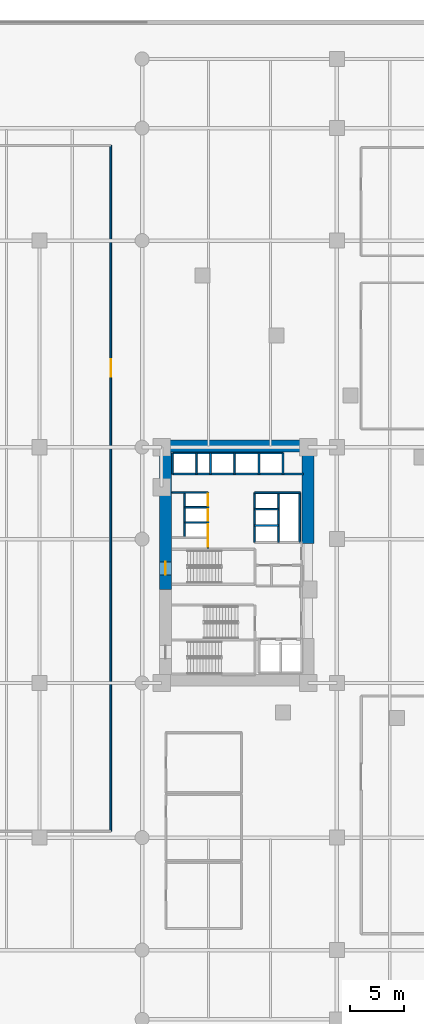
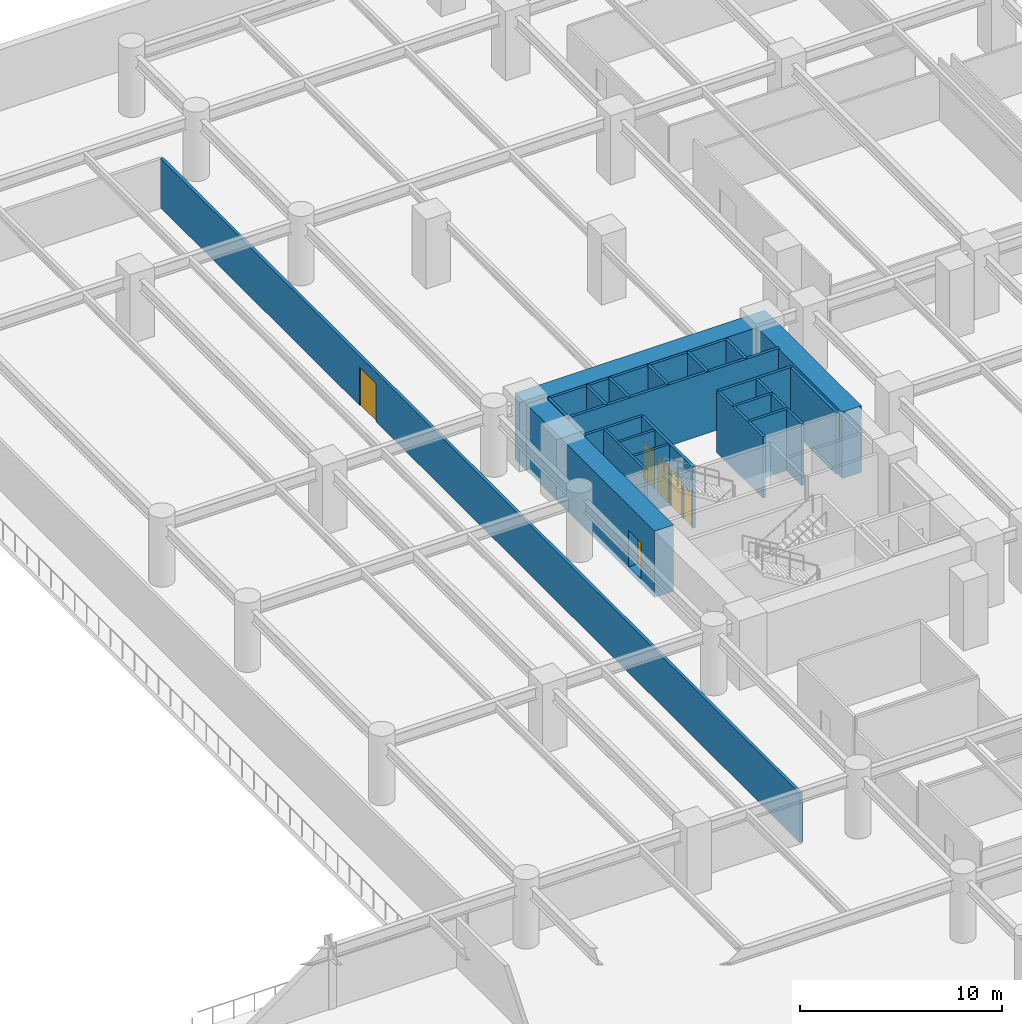
# One storey, part 11 of 20: 24 walls, 6 doors, 6 openings.
"""IFC4 building model written with IfcOpenShell, lengths in metres."""

from ifc_helpers import new_model, si_unit, direction, frame, frame_2d, origin, place, context, subcontext, project, spatial, rectangle, extrude, material, layer, layer_set, type_object, element, fill, save


model = new_model("IFC4")

# Units and contexts
model_context = context("Model", 3, precision=1e-05, world=origin(), true_north=direction((0.0, 1.0)))
body_context = subcontext(model_context, "Body", "Model", "MODEL_VIEW")
ifc_project = project(units=[si_unit("LENGTHUNIT", "METRE"), si_unit("AREAUNIT", "SQUARE_METRE"), si_unit("VOLUMEUNIT", "CUBIC_METRE"), si_unit("PLANEANGLEUNIT", "RADIAN"), si_unit("MASSUNIT", "GRAM", prefix="KILO")], contexts=[model_context])

# Site, building, storey
site_placement = place(None, origin())
site = spatial("IfcSite", under=ifc_project, at=site_placement, CompositionType="ELEMENT")
building_placement = place(site_placement, origin())
building = spatial("IfcBuilding", under=site, at=building_placement, Name="Narakoshi Arena Tower", CompositionType="ELEMENT")
storey_placement = place(building_placement, frame((0.0, 0.0, 17.39990234375)))
storey = spatial("IfcBuildingStorey", under=building, at=storey_placement, Name="L04", CompositionType="ELEMENT", Elevation=17.39990234375)

# Wall, opening, door
ifc_material_1 = material(Name="Concrete C60/75", Category="concrete")
ifc_layer_1 = layer(ifc_material_1, 1.10009765625)
ifc_layer_set_1 = layer_set([ifc_layer_1], Name="Concrete C60/75")
wall_type_1 = type_object("IfcWallType", Name="WL-CORE-1100", PredefinedType="SHEAR", material=ifc_layer_set_1)
wall_1_placement = place(storey_placement, frame((72.35009765625, 43.35009765625, -0.31982421875), z_axis=(0.0, 0.0, 1.0), x_axis=(0.0, 1.0, 0.0)))
wall_1 = element("IfcWall", 1, at=wall_1_placement, inside=storey, type_object=wall_type_1, Name="L04 Main Core Shear Wall CW-MN-W", PredefinedType="SHEAR", context=body_context, shape_type="SweptSolid", body=[
    extrude(rectangle(XDim=12.699951171875, YDim=1.10009765625, at=frame_2d((6.35009765625, 0.0))), origin(), (0.0, 0.0, 1.0), 4.02001953125),
])
opening_1_placement = place(wall_1_placement, frame((1.35009765625, 0.0, 0.320068359375)))
opening_1 = element("IfcOpeningElement", 2, at=opening_1_placement, cuts=wall_1, Name="Opening D-03", PredefinedType="OPENING", context=body_context, shape_type="SweptSolid", body=[
    extrude(rectangle(XDim=1.199951171875, YDim=2.199951171875, at=frame_2d((0.60009765625, 1.10009765625))), frame((0.0, 0.56005859375, 0.0), z_axis=(0.0, -1.0, 0.0), x_axis=(1.0, 0.0, 0.0)), (0.0, 0.0, 1.0), 1.1201171875),
])
ifc_material_2 = material(Name="Painted galvanized steel", Category="steel")
door_type_1 = type_object("IfcDoorType", Name="DR-STR-1200", OperationType="NOTDEFINED", PredefinedType="USERDEFINED", material=ifc_material_2)
door_1_placement = place(opening_1_placement, frame((1.199951171875, 0.0, 0.0), z_axis=(0.0, 0.0, 1.0), x_axis=(-1.0, 0.0, 0.0)))
door_1 = element("IfcDoor", 3, at=door_1_placement, inside=storey, type_object=door_type_1, Name="DR-L04-006", ObjectType="EXITDOOR", OperationType="SINGLE_SWING_LEFT", OverallHeight=2.199951171875, OverallWidth=1.199951171875, PredefinedType="USERDEFINED", context=body_context, shape_type="SweptSolid", body=[
    extrude(rectangle(XDim=1.199951171875, YDim=2.199951171875, at=frame_2d((0.60009765625, 1.10009765625))), frame((0.0, 0.02490234375, 0.0), z_axis=(0.0, -1.0, 0.0), x_axis=(1.0, 0.0, 0.0)), (0.0, 0.0, 1.0), 0.050048828125),
])
fill(opening_1, door_1)

# Walls
wall_2_placement = place(storey_placement, frame((71.800048828125, 56.60009765625, -0.31982421875), z_axis=(0.0, 0.0, 1.0), x_axis=(1.0, 0.0, 0.0)))
element("IfcWall", 4, at=wall_2_placement, inside=storey, type_object=wall_type_1, Name="L04 Main Core Shear Wall CW-MN-N", PredefinedType="SHEAR", context=body_context, shape_type="SweptSolid", body=[
    extrude(rectangle(XDim=14.300048828125, YDim=1.10009765625, at=frame_2d((7.14990234375, 0.0))), origin(), (0.0, 0.0, 1.0), 4.02001953125),
])
wall_3_placement = place(storey_placement, frame((85.550048828125, 47.60009765625, -0.31982421875), z_axis=(0.0, 0.0, 1.0), x_axis=(0.0, 1.0, 0.0)))
element("IfcWall", 5, at=wall_3_placement, inside=storey, type_object=wall_type_1, Name="L04 Main Core Shear Wall CW-MN-E", PredefinedType="SHEAR", context=body_context, shape_type="SweptSolid", body=[
    extrude(rectangle(XDim=8.449951171875, YDim=1.10009765625, at=frame_2d((4.22509765625, 0.0))), origin(), (0.0, 0.0, 1.0), 4.02001953125),
])

# Wall, opening, door
ifc_material_3 = material(Name="Gypsum plasterboard fire-rated partition")
ifc_layer_2 = layer(ifc_material_3, 0.1650390625)
ifc_layer_set_2 = layer_set([ifc_layer_2], Name="Gypsum plasterboard fire-rated partition")
wall_type_2 = type_object("IfcWallType", Name="WL-CORR-165", PredefinedType="PARTITIONING", material=ifc_layer_set_2)
wall_4_placement = place(storey_placement, frame((67.300048828125, 21.0, 0.0), z_axis=(0.0, 0.0, 1.0), x_axis=(0.0, 1.0, 0.0)))
wall_4 = element("IfcWall", 6, at=wall_4_placement, inside=storey, type_object=wall_type_2, Name="L04 Concourse Exhibition Conference Suite Wall E", PredefinedType="PARTITIONING", context=body_context, shape_type="SweptSolid", body=[
    extrude(rectangle(XDim=63.39990234375, YDim=0.1650390625, at=frame_2d((31.699951171875, 0.0))), origin(), (0.0, 0.0, 1.0), 2.985107421875),
])
opening_2_placement = place(wall_4_placement, frame((42.02392578125, 0.0, 0.0)))
opening_2 = element("IfcOpeningElement", 7, at=opening_2_placement, cuts=wall_4, Name="Opening D-05", PredefinedType="OPENING", context=body_context, shape_type="SweptSolid", body=[
    extrude(rectangle(XDim=1.60009765625, YDim=2.300048828125, at=frame_2d((0.800048828125, 1.14990234375))), frame((0.0, 0.092529296875, 0.0), z_axis=(0.0, -1.0, 0.0), x_axis=(1.0, 0.0, 0.0)), (0.0, 0.0, 1.0), 0.18505859375),
])
ifc_material_4 = material(Name="Stained oak solid-core timber", Category="wood")
door_type_2 = type_object("IfcDoorType", Name="DR-STE-1600", OperationType="DOUBLE_DOOR_SINGLE_SWING", PredefinedType="DOOR", material=ifc_material_4)
door_2_placement = place(opening_2_placement, frame((1.60009765625, 0.0, 0.0), z_axis=(0.0, 0.0, 1.0), x_axis=(-1.0, 0.0, 0.0)))
door_2 = element("IfcDoor", 8, at=door_2_placement, inside=storey, type_object=door_type_2, Name="DR-L04-027", OperationType="DOUBLE_DOOR_SINGLE_SWING", OverallHeight=2.300048828125, OverallWidth=1.60009765625, PredefinedType="DOOR", context=body_context, shape_type="SweptSolid", body=[
    extrude(rectangle(XDim=1.60009765625, YDim=2.300048828125, at=frame_2d((0.800048828125, 1.14990234375))), frame((0.0, 0.02490234375, 0.0), z_axis=(0.0, -1.0, 0.0), x_axis=(1.0, 0.0, 0.0)), (0.0, 0.0, 1.0), 0.050048828125),
])
fill(opening_2, door_2)

# Walls
ifc_material_5 = material(Name="Concrete C40/50", Category="concrete")
ifc_layer_3 = layer(ifc_material_5, 0.280029296875)
ifc_layer_set_3 = layer_set([ifc_layer_3], Name="Concrete C40/50")
wall_type_3 = type_object("IfcWallType", Name="WL-RISER-280", PredefinedType="PLUMBINGWALL", material=ifc_layer_set_3)
for number, where, z_axis, x_axis, name in (
    (9, (74.14990234375, 49.550048828125, 0.0), (0.0, 0.0, 1.0), (1.0, 0.0, 0.0), "L04 Core Wall LR-D1"),
    (10, (74.14990234375, 50.949951171875, 0.0), (0.0, 0.0, 1.0), (1.0, 0.0, 0.0), "L04 Core Wall LR-D2"),
):
    element("IfcWall", number, at=place(storey_placement, frame(where, z_axis=z_axis, x_axis=x_axis)), inside=storey, type_object=wall_type_3, Name=name, PredefinedType="PLUMBINGWALL", context=body_context, shape_type="SweptSolid", body=[
        extrude(rectangle(XDim=2.0400390625, YDim=0.139892578125, at=frame_2d((1.02001953125, 0.0))), origin(), (0.0, 0.0, 1.0), 3.7001953125),
    ])
wall_5_placement = place(storey_placement, frame((74.10009765625, 48.159912109375, 0.0), z_axis=(0.0, 0.0, 1.0), x_axis=(0.0, 1.0, 0.0)))
element("IfcWall", 11, at=wall_5_placement, inside=storey, type_object=wall_type_3, Name="L04 Core Wall LR-W", PredefinedType="PLUMBINGWALL", context=body_context, shape_type="SweptSolid", body=[
    extrude(rectangle(XDim=4.16015625, YDim=0.139892578125, at=frame_2d((2.080078125, 0.0))), origin(), (0.0, 0.0, 1.0), 3.7001953125),
])
for number, where, z_axis, x_axis, name in (
    (12, (80.60009765625, 49.260009765625, 0.0), (0.0, 0.0, 1.0), (1.0, 0.0, 0.0), "L04 Core Wall MR-D1"),
    (13, (80.60009765625, 50.780029296875, 0.0), (0.0, 0.0, 1.0), (1.0, 0.0, 0.0), "L04 Core Wall MR-D2"),
):
    element("IfcWall", number, at=place(storey_placement, frame(where, z_axis=z_axis, x_axis=x_axis)), inside=storey, type_object=wall_type_3, Name=name, PredefinedType="PLUMBINGWALL", context=body_context, shape_type="SweptSolid", body=[
        extrude(rectangle(XDim=2.199951171875, YDim=0.14990234375, at=frame_2d((1.10009765625, 0.0))), origin(), (0.0, 0.0, 1.0), 3.7001953125),
    ])
wall_6_placement = place(storey_placement, frame((82.800048828125, 47.699951171875, 0.0), z_axis=(0.0, 0.0, 1.0), x_axis=(0.0, 1.0, 0.0)))
element("IfcWall", 14, at=wall_6_placement, inside=storey, type_object=wall_type_3, Name="L04 Core Wall MR-E", PredefinedType="PLUMBINGWALL", context=body_context, shape_type="SweptSolid", body=[
    extrude(rectangle(XDim=4.60009765625, YDim=0.14990234375, at=frame_2d((2.300048828125, 0.0))), origin(), (0.0, 0.0, 1.0), 3.7001953125),
])
for number, where, z_axis, x_axis, name in (
    (15, (73.02001953125, 54.02001953125, 0.0), (0.0, 0.0, 1.0), (0.0, 1.0, 0.0), "L04 Core Wall OBS-W"),
    (16, (75.219970703125, 54.02001953125, 0.0), (0.0, 0.0, 1.0), (0.0, 1.0, 0.0), "L04 Core Wall OBS-M"),
):
    element("IfcWall", number, at=place(storey_placement, frame(where, z_axis=z_axis, x_axis=x_axis)), inside=storey, type_object=wall_type_3, Name=name, PredefinedType="PLUMBINGWALL", context=body_context, shape_type="SweptSolid", body=[
        extrude(rectangle(XDim=1.93994140625, YDim=0.14990234375, at=frame_2d((0.969970703125, 0.0))), origin(), (0.0, 0.0, 1.0), 3.7001953125),
    ])
for number, where, z_axis, x_axis, name in (
    (17, (78.75, 54.02001953125, 0.0), (0.0, 0.0, 1.0), (0.0, 1.0, 0.0), "L04 Core Wall HR-D1"),
    (18, (81.0, 54.02001953125, 0.0), (0.0, 0.0, 1.0), (0.0, 1.0, 0.0), "L04 Core Wall HR-D2"),
):
    element("IfcWall", number, at=place(storey_placement, frame(where, z_axis=z_axis, x_axis=x_axis)), inside=storey, type_object=wall_type_3, Name=name, PredefinedType="PLUMBINGWALL", context=body_context, shape_type="SweptSolid", body=[
        extrude(rectangle(XDim=1.9599609375, YDim=0.14990234375, at=frame_2d((0.97998046875, 0.0))), origin(), (0.0, 0.0, 1.0), 3.7001953125),
    ])

# Wall, openings, doors
ifc_material_6 = material(Name="Concrete C50/60", Category="concrete")
ifc_layer_4 = layer(ifc_material_6, 0.35009765625)
ifc_layer_set_4 = layer_set([ifc_layer_4], Name="Concrete C50/60")
wall_type_4 = type_object("IfcWallType", Name="WL-SHAFT-350", PredefinedType="SOLIDWALL", material=ifc_layer_set_4)
wall_7_placement = place(storey_placement, frame((76.280029296875, 47.179931640625, 0.0), z_axis=(0.0, 0.0, 1.0), x_axis=(0.0, 1.0, 0.0)))
wall_7 = element("IfcWall", 19, at=wall_7_placement, inside=storey, type_object=wall_type_4, Name="L04 Core Wall LR-E", PredefinedType="SOLIDWALL", context=body_context, shape_type="SweptSolid", body=[
    extrude(rectangle(XDim=5.14013671875, YDim=0.159912109375, at=frame_2d((2.570068359375, 0.0))), origin(), (0.0, 0.0, 1.0), 3.7001953125),
])
opening_3_placement = place(wall_7_placement, frame((1.10009765625, 0.0, 0.0)))
opening_3 = element("IfcOpeningElement", 20, at=opening_3_placement, cuts=wall_7, Name="Opening LD-01", PredefinedType="OPENING", context=body_context, shape_type="SweptSolid", body=[
    extrude(rectangle(XDim=1.10009765625, YDim=2.25, at=frame_2d((0.550048828125, 1.125))), frame((0.0, 0.08984375, 0.0), z_axis=(0.0, -1.0, 0.0), x_axis=(1.0, 0.0, 0.0)), (0.0, 0.0, 1.0), 0.179931640625),
])
opening_4_placement = place(wall_7_placement, frame((2.5, 0.0, 0.0)))
opening_4 = element("IfcOpeningElement", 21, at=opening_4_placement, cuts=wall_7, Name="Opening LD-01", PredefinedType="OPENING", context=body_context, shape_type="SweptSolid", body=[
    extrude(rectangle(XDim=1.10009765625, YDim=2.25, at=frame_2d((0.550048828125, 1.125))), frame((0.0, 0.08984375, 0.0), z_axis=(0.0, -1.0, 0.0), x_axis=(1.0, 0.0, 0.0)), (0.0, 0.0, 1.0), 0.179931640625),
])
opening_5_placement = place(wall_7_placement, frame((3.89990234375, 0.0, 0.0)))
opening_5 = element("IfcOpeningElement", 22, at=opening_5_placement, cuts=wall_7, Name="Opening LD-01", PredefinedType="OPENING", context=body_context, shape_type="SweptSolid", body=[
    extrude(rectangle(XDim=1.10009765625, YDim=2.25, at=frame_2d((0.550048828125, 1.125))), frame((0.0, 0.08984375, 0.0), z_axis=(0.0, -1.0, 0.0), x_axis=(1.0, 0.0, 0.0)), (0.0, 0.0, 1.0), 0.179931640625),
])
opening_6_placement = place(wall_7_placement, frame((0.1201171875, 0.0, 0.0)))
opening_6 = element("IfcOpeningElement", 23, at=opening_6_placement, cuts=wall_7, Name="Opening D-10", PredefinedType="OPENING", context=body_context, shape_type="SweptSolid", body=[
    extrude(rectangle(XDim=0.85009765625, YDim=2.050048828125, at=frame_2d((0.425048828125, 1.02490234375))), frame((0.0, 0.08984375, 0.0), z_axis=(0.0, -1.0, 0.0), x_axis=(1.0, 0.0, 0.0)), (0.0, 0.0, 1.0), 0.179931640625),
])
ifc_material_7 = material(Name="Brushed bronze stainless steel", Category="steel")
door_type_3 = type_object("IfcDoorType", Name="DR-LFT-1100", OperationType="DOUBLE_DOOR_SLIDING", PredefinedType="DOOR", material=ifc_material_7)
door_3_placement = place(opening_3_placement, origin())
door_3 = element("IfcDoor", 24, at=door_3_placement, inside=storey, type_object=door_type_3, Name="DR-L04-010", OperationType="DOUBLE_DOOR_SLIDING", OverallHeight=2.25, OverallWidth=1.10009765625, PredefinedType="DOOR", context=body_context, shape_type="SweptSolid", body=[
    extrude(rectangle(XDim=1.10009765625, YDim=2.25, at=frame_2d((0.550048828125, 1.125))), frame((0.0, 0.02490234375, 0.0), z_axis=(0.0, -1.0, 0.0), x_axis=(1.0, 0.0, 0.0)), (0.0, 0.0, 1.0), 0.050048828125),
])
fill(opening_3, door_3)
door_4_placement = place(opening_4_placement, origin())
door_4 = element("IfcDoor", 25, at=door_4_placement, inside=storey, type_object=door_type_3, Name="DR-L04-011", OperationType="DOUBLE_DOOR_SLIDING", OverallHeight=2.25, OverallWidth=1.10009765625, PredefinedType="DOOR", context=body_context, shape_type="SweptSolid", body=[
    extrude(rectangle(XDim=1.10009765625, YDim=2.25, at=frame_2d((0.550048828125, 1.125))), frame((0.0, 0.02490234375, 0.0), z_axis=(0.0, -1.0, 0.0), x_axis=(1.0, 0.0, 0.0)), (0.0, 0.0, 1.0), 0.050048828125),
])
fill(opening_4, door_4)
door_5_placement = place(opening_5_placement, origin())
door_5 = element("IfcDoor", 26, at=door_5_placement, inside=storey, type_object=door_type_3, Name="DR-L04-012", OperationType="DOUBLE_DOOR_SLIDING", OverallHeight=2.25, OverallWidth=1.10009765625, PredefinedType="DOOR", context=body_context, shape_type="SweptSolid", body=[
    extrude(rectangle(XDim=1.10009765625, YDim=2.25, at=frame_2d((0.550048828125, 1.125))), frame((0.0, 0.02490234375, 0.0), z_axis=(0.0, -1.0, 0.0), x_axis=(1.0, 0.0, 0.0)), (0.0, 0.0, 1.0), 0.050048828125),
])
fill(opening_5, door_5)
door_type_4 = type_object("IfcDoorType", Name="DR-RSR-850", OperationType="NOTDEFINED", PredefinedType="DOOR", material=ifc_material_2)
door_6_placement = place(opening_6_placement, frame((0.85009765625, 0.0, 0.0), z_axis=(0.0, 0.0, 1.0), x_axis=(-1.0, 0.0, 0.0)))
door_6 = element("IfcDoor", 27, at=door_6_placement, inside=storey, type_object=door_type_4, Name="DR-L04-013", OperationType="SINGLE_SWING_LEFT", OverallHeight=2.050048828125, OverallWidth=0.85009765625, PredefinedType="DOOR", context=body_context, shape_type="SweptSolid", body=[
    extrude(rectangle(XDim=0.85009765625, YDim=2.050048828125, at=frame_2d((0.425048828125, 1.02490234375))), frame((0.0, 0.02490234375, 0.0), z_axis=(0.0, -1.0, 0.0), x_axis=(1.0, 0.0, 0.0)), (0.0, 0.0, 1.0), 0.050048828125),
])
fill(opening_6, door_6)

# Walls
wall_8_placement = place(storey_placement, frame((72.949951171875, 52.320068359375, 0.0), z_axis=(0.0, 0.0, 1.0), x_axis=(1.0, 0.0, 0.0)))
element("IfcWall", 28, at=wall_8_placement, inside=storey, type_object=wall_type_4, Name="L04 Core Wall LR-N", PredefinedType="SOLIDWALL", context=body_context, shape_type="SweptSolid", body=[
    extrude(rectangle(XDim=3.330078125, YDim=0.14990234375, at=frame_2d((1.6650390625, 0.0))), origin(), (0.0, 0.0, 1.0), 3.7001953125),
])
wall_9_placement = place(storey_placement, frame((80.60009765625, 47.699951171875, 0.0), z_axis=(0.0, 0.0, 1.0), x_axis=(0.0, 1.0, 0.0)))
element("IfcWall", 29, at=wall_9_placement, inside=storey, type_object=wall_type_4, Name="L04 Core Wall MR-W", PredefinedType="SOLIDWALL", context=body_context, shape_type="SweptSolid", body=[
    extrude(rectangle(XDim=4.60009765625, YDim=0.159912109375, at=frame_2d((2.300048828125, 0.0))), origin(), (0.0, 0.0, 1.0), 3.7001953125),
])
wall_10_placement = place(storey_placement, frame((80.60009765625, 52.300048828125, 0.0), z_axis=(0.0, 0.0, 1.0), x_axis=(1.0, 0.0, 0.0)))
element("IfcWall", 30, at=wall_10_placement, inside=storey, type_object=wall_type_4, Name="L04 Core Wall MR-N", PredefinedType="SOLIDWALL", context=body_context, shape_type="SweptSolid", body=[
    extrude(rectangle(XDim=4.219970703125, YDim=0.159912109375, at=frame_2d((2.10986328125, 0.0))), origin(), (0.0, 0.0, 1.0), 3.7001953125),
])
wall_11_placement = place(storey_placement, frame((84.780029296875, 47.699951171875, 0.0), z_axis=(0.0, 0.0, 1.0), x_axis=(0.0, 1.0, 0.0)))
element("IfcWall", 31, at=wall_11_placement, inside=storey, type_object=wall_type_4, Name="L04 Core Wall MR-E2", PredefinedType="SOLIDWALL", context=body_context, shape_type="SweptSolid", body=[
    extrude(rectangle(XDim=4.60009765625, YDim=0.159912109375, at=frame_2d((2.300048828125, 0.0))), origin(), (0.0, 0.0, 1.0), 3.7001953125),
])
wall_12_placement = place(storey_placement, frame((73.02001953125, 54.02001953125, 0.0), z_axis=(0.0, 0.0, 1.0), x_axis=(1.0, 0.0, 0.0)))
element("IfcWall", 32, at=wall_12_placement, inside=storey, type_object=wall_type_4, Name="L04 Core Wall NSHF-S", PredefinedType="SOLIDWALL", context=body_context, shape_type="SweptSolid", body=[
    extrude(rectangle(XDim=12.080078125, YDim=0.159912109375, at=frame_2d((6.0400390625, 0.0))), origin(), (0.0, 0.0, 1.0), 3.7001953125),
])
wall_13_placement = place(storey_placement, frame((73.02001953125, 55.9599609375, 0.0), z_axis=(0.0, 0.0, 1.0), x_axis=(1.0, 0.0, 0.0)))
element("IfcWall", 33, at=wall_13_placement, inside=storey, type_object=wall_type_4, Name="L04 Core Wall OBS-N", PredefinedType="SOLIDWALL", context=body_context, shape_type="SweptSolid", body=[
    extrude(rectangle(XDim=3.5, YDim=0.14990234375, at=frame_2d((1.75, 0.0))), origin(), (0.0, 0.0, 1.0), 3.7001953125),
])
wall_14_placement = place(storey_placement, frame((76.52001953125, 54.02001953125, 0.0), z_axis=(0.0, 0.0, 1.0), x_axis=(0.0, 1.0, 0.0)))
element("IfcWall", 34, at=wall_14_placement, inside=storey, type_object=wall_type_4, Name="L04 Core Wall OBS-E", PredefinedType="SOLIDWALL", context=body_context, shape_type="SweptSolid", body=[
    extrude(rectangle(XDim=1.93994140625, YDim=0.14990234375, at=frame_2d((0.969970703125, 0.0))), origin(), (0.0, 0.0, 1.0), 3.7001953125),
])
wall_15_placement = place(storey_placement, frame((83.219970703125, 54.02001953125, 0.0), z_axis=(0.0, 0.0, 1.0), x_axis=(0.0, 1.0, 0.0)))
element("IfcWall", 35, at=wall_15_placement, inside=storey, type_object=wall_type_4, Name="L04 Core Wall HR-E", PredefinedType="SOLIDWALL", context=body_context, shape_type="SweptSolid", body=[
    extrude(rectangle(XDim=1.9599609375, YDim=0.14990234375, at=frame_2d((0.97998046875, 0.0))), origin(), (0.0, 0.0, 1.0), 3.7001953125),
])
wall_16_placement = place(storey_placement, frame((76.52001953125, 55.9599609375, 0.0), z_axis=(0.0, 0.0, 1.0), x_axis=(1.0, 0.0, 0.0)))
element("IfcWall", 36, at=wall_16_placement, inside=storey, type_object=wall_type_4, Name="L04 Core Wall HR-N", PredefinedType="SOLIDWALL", context=body_context, shape_type="SweptSolid", body=[
    extrude(rectangle(XDim=6.699951171875, YDim=0.14990234375, at=frame_2d((3.35009765625, 0.0))), origin(), (0.0, 0.0, 1.0), 3.7001953125),
])

save(model, "model.ifc")
